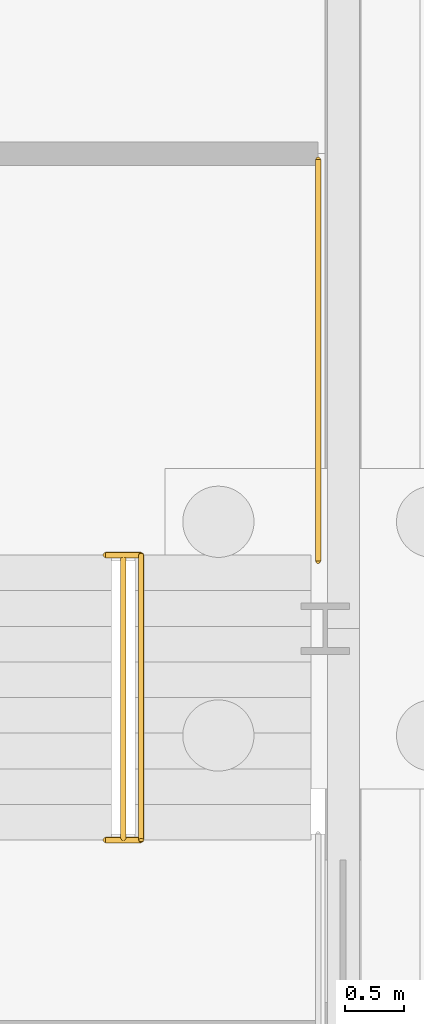
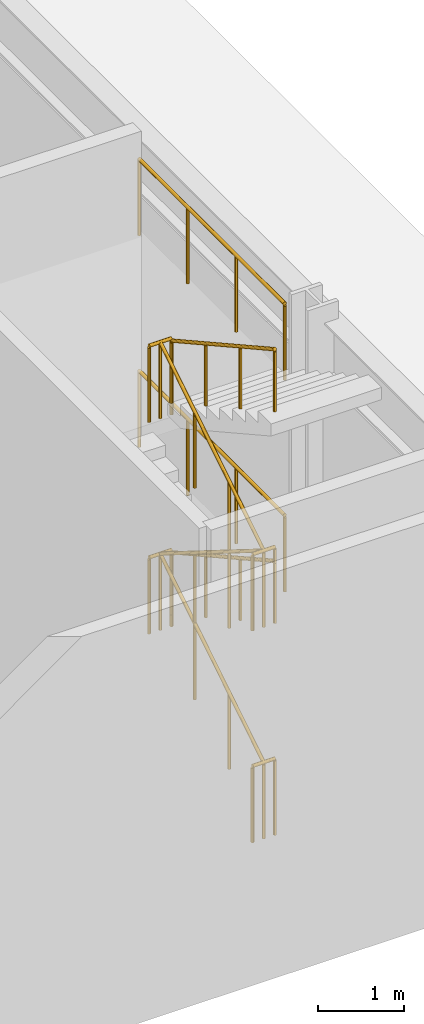
# One storey, part 36 of 37: 5 railings.
"""IFC4 building model written with IfcOpenShell, lengths in metres."""

from ifc_helpers import new_model, si_unit, direction, frame, origin, origin_2d, place, context, subcontext, project, spatial, circle, extrude, material, constituent, constituent_set, type_object, element, save


model = new_model("IFC4")

# Units and contexts
model_context = context("Model", 3, precision=1e-05, world=origin(), true_north=direction((0.0, 1.0)))
body_context = subcontext(model_context, "Body", "Model", "MODEL_VIEW")
ifc_project = project(units=[si_unit("LENGTHUNIT", "METRE"), si_unit("AREAUNIT", "SQUARE_METRE"), si_unit("VOLUMEUNIT", "CUBIC_METRE"), si_unit("PLANEANGLEUNIT", "RADIAN"), si_unit("MASSUNIT", "GRAM", prefix="KILO")], contexts=[model_context])

# Site, building, storey
site_placement = place(None, origin())
site = spatial("IfcSite", under=ifc_project, at=site_placement, CompositionType="ELEMENT")
building_placement = place(site_placement, origin())
building = spatial("IfcBuilding", under=site, at=building_placement, Name="Iwan Alto Co-Living Towers", CompositionType="ELEMENT")
storey_placement = place(building_placement, origin())
storey = spatial("IfcBuildingStorey", under=building, at=storey_placement, Name="L00", CompositionType="ELEMENT", Elevation=0.0)

# Railings
ifc_material_1 = material(Name="Steel ASTM A500 Gr C", Category="steel")
ifc_constituent_1 = constituent(ifc_material_1, Name="Rails and posts", Category="Framing")
ifc_material_2 = material(Name="Steel ASTM A36", Category="steel")
ifc_constituent_2 = constituent(ifc_material_2, Name="Bar infill", Category="Infill")
ifc_constituent_set = constituent_set(constituents=[ifc_constituent_1, ifc_constituent_2], Name="STAIR GUARD 1100")
railing_type_1 = type_object("IfcRailingType", Name="STAIR GUARD 1100", PredefinedType="GUARDRAIL", material=ifc_constituent_set)
railing_placement = place(storey_placement, frame((88.300048828125, -1.780029296875, 0.0)))
element("IfcRailing", 1, at=railing_placement, inside=storey, type_object=railing_type_1, Name="Stair PS2 well guard L00", PredefinedType="GUARDRAIL", context=body_context, shape_type="SweptSolid", body=[
    extrude(circle(Radius=0.02392578125, at=origin_2d()), frame((0.0, 0.0, 1.076171875), z_axis=(0.0, 0.84801284173, 0.529975678933), x_axis=(-1.0, 0.0, 0.0)), (0.0, 0.0, 1.0), 2.830322265625),
    extrude(circle(Radius=0.02392578125, at=origin_2d()), frame((0.0, 2.400146484375, 2.576171875), z_axis=(0.0, -0.84801284173, 0.529975678933), x_axis=(1.0, 0.0, 0.0)), (0.0, 0.0, 1.0), 2.830322265625),
    extrude(circle(Radius=0.02392578125, at=origin_2d()), frame((0.0, 0.0, 4.076171875), z_axis=(0.0, 0.84801284173, 0.529975678933), x_axis=(-1.0, 0.0, 0.0)), (0.0, 0.0, 1.0), 2.830322265625),
    extrude(circle(Radius=0.02392578125, at=origin_2d()), frame((-0.150146484375, 0.0, 1.076171875), z_axis=(1.0, 0.0, 0.0), x_axis=(0.0, 1.0, 0.0)), (0.0, 0.0, 1.0), 0.300048828125),
    extrude(circle(Radius=0.02392578125, at=origin_2d()), frame((-0.150146484375, 2.400146484375, 2.576171875), z_axis=(1.0, 0.0, 0.0), x_axis=(0.0, 1.0, 0.0)), (0.0, 0.0, 1.0), 0.300048828125),
    extrude(circle(Radius=0.02392578125, at=origin_2d()), frame((-0.150146484375, 0.0, 4.076171875), z_axis=(1.0, 0.0, 0.0), x_axis=(0.0, 1.0, 0.0)), (0.0, 0.0, 1.0), 0.300048828125),
    extrude(circle(Radius=0.02392578125, at=origin_2d()), frame((-0.150146484375, 2.400146484375, 5.576171875), z_axis=(1.0, 0.0, 0.0), x_axis=(0.0, 1.0, 0.0)), (0.0, 0.0, 1.0), 0.300048828125),
    extrude(circle(Radius=0.02099609375, at=origin_2d()), origin(), (0.0, 0.0, 1.0), 1.052001953125),
    extrude(circle(Radius=0.02099609375, at=origin_2d()), frame((0.0, 0.800048828125, 0.5)), (0.0, 0.0, 1.0), 1.052001953125),
    extrude(circle(Radius=0.02099609375, at=origin_2d()), frame((0.0, 1.60009765625, 1.0)), (0.0, 0.0, 1.0), 1.052001953125),
    extrude(circle(Radius=0.02099609375, at=origin_2d()), frame((0.0, 2.400146484375, 1.5)), (0.0, 0.0, 1.0), 1.052001953125),
    extrude(circle(Radius=0.02099609375, at=origin_2d()), frame((0.0, 1.60009765625, 2.0)), (0.0, 0.0, 1.0), 1.052001953125),
    extrude(circle(Radius=0.02099609375, at=origin_2d()), frame((0.0, 0.800048828125, 2.5)), (0.0, 0.0, 1.0), 1.052001953125),
    extrude(circle(Radius=0.02099609375, at=origin_2d()), frame((0.0, 0.0, 3.0)), (0.0, 0.0, 1.0), 1.052001953125),
    extrude(circle(Radius=0.02099609375, at=origin_2d()), frame((0.0, 0.800048828125, 3.5)), (0.0, 0.0, 1.0), 1.052001953125),
    extrude(circle(Radius=0.02099609375, at=origin_2d()), frame((0.0, 1.60009765625, 4.0)), (0.0, 0.0, 1.0), 1.052001953125),
    extrude(circle(Radius=0.02099609375, at=origin_2d()), frame((0.0, 2.400146484375, 4.5)), (0.0, 0.0, 1.0), 1.052001953125),
    extrude(circle(Radius=0.02099609375, at=origin_2d()), frame((-0.150146484375, 0.0, 0.0)), (0.0, 0.0, 1.0), 1.052001953125),
    extrude(circle(Radius=0.02099609375, at=origin_2d()), frame((0.14990234375, 0.0, 0.0)), (0.0, 0.0, 1.0), 1.052001953125),
    extrude(circle(Radius=0.02099609375, at=origin_2d()), frame((-0.150146484375, 2.400146484375, 1.5)), (0.0, 0.0, 1.0), 1.052001953125),
    extrude(circle(Radius=0.02099609375, at=origin_2d()), frame((0.14990234375, 2.400146484375, 1.5)), (0.0, 0.0, 1.0), 1.052001953125),
    extrude(circle(Radius=0.02099609375, at=origin_2d()), frame((-0.150146484375, 0.0, 3.0)), (0.0, 0.0, 1.0), 1.052001953125),
    extrude(circle(Radius=0.02099609375, at=origin_2d()), frame((0.14990234375, 0.0, 3.0)), (0.0, 0.0, 1.0), 1.052001953125),
    extrude(circle(Radius=0.02099609375, at=origin_2d()), frame((-0.150146484375, 2.400146484375, 4.5)), (0.0, 0.0, 1.0), 1.052001953125),
    extrude(circle(Radius=0.02099609375, at=origin_2d()), frame((0.14990234375, 2.400146484375, 4.5)), (0.0, 0.0, 1.0), 1.052001953125),
])
for number, where, name in (
    (2, (89.93994140625, 0.570068359375, 1.5), "Stair PS2 edge guard L00 2"),
    (3, (89.93994140625, 0.570068359375, 4.5), "Stair PS2 edge guard L00 4"),
):
    element("IfcRailing", number, at=place(storey_placement, frame(where)), inside=storey, type_object=railing_type_1, Name=name, PredefinedType="GUARDRAIL", context=body_context, shape_type="SweptSolid", body=[
        extrude(circle(Radius=0.02392578125, at=origin_2d()), frame((0.0, 0.0, 1.076171875), z_axis=(0.0, 1.0, 0.0), x_axis=(-1.0, 0.0, 0.0)), (0.0, 0.0, 1.0), 3.3798828125),
        extrude(circle(Radius=0.02099609375, at=origin_2d()), origin(), (0.0, 0.0, 1.0), 1.052001953125),
        extrude(circle(Radius=0.02099609375, at=origin_2d()), frame((0.0, 1.126708984375, 0.0)), (0.0, 0.0, 1.0), 1.052001953125),
        extrude(circle(Radius=0.02099609375, at=origin_2d()), frame((0.0, 2.253173828125, 0.0)), (0.0, 0.0, 1.0), 1.052001953125),
        extrude(circle(Radius=0.02099609375, at=origin_2d()), frame((0.0, 3.3798828125, 0.0)), (0.0, 0.0, 1.0), 1.052001953125),
    ])
ifc_material_3 = material(Name="Steel ASTM A500 Gr C", Category="steel")
railing_type_2 = type_object("IfcRailingType", Name="STAIR HANDRAIL 900", PredefinedType="HANDRAIL", material=ifc_material_3)
for number, where, name in (
    (4, (88.449951171875, 0.6201171875, 1.666748046875), "Stair PS2 handrail 2 L00"),
    (5, (88.449951171875, 0.6201171875, 4.666748046875), "Stair PS2 handrail 4 L00"),
):
    element("IfcRailing", number, at=place(storey_placement, frame(where)), inside=storey, type_object=railing_type_2, Name=name, PredefinedType="HANDRAIL", context=body_context, shape_type="SweptSolid", body=[
        extrude(circle(Radius=0.02392578125, at=origin_2d()), frame((0.0, 0.0, 0.8759765625), z_axis=(0.0, -0.874182441271, 0.485597631145), x_axis=(1.0, 0.0, 0.0)), (0.0, 0.0, 1.0), 2.74560546875),
        extrude(circle(Radius=0.02099609375, at=origin_2d()), origin(), (0.0, 0.0, 1.0), 0.851806640625),
        extrude(circle(Radius=0.02099609375, at=origin_2d()), frame((0.0, -0.800048828125, 0.4443359375)), (0.0, 0.0, 1.0), 0.851806640625),
        extrude(circle(Radius=0.02099609375, at=origin_2d()), frame((0.0, -1.60009765625, 0.888916015625)), (0.0, 0.0, 1.0), 0.851806640625),
        extrude(circle(Radius=0.02099609375, at=origin_2d()), frame((0.0, -2.400146484375, 1.333251953125)), (0.0, 0.0, 1.0), 0.851806640625),
    ])

save(model, "model.ifc")
